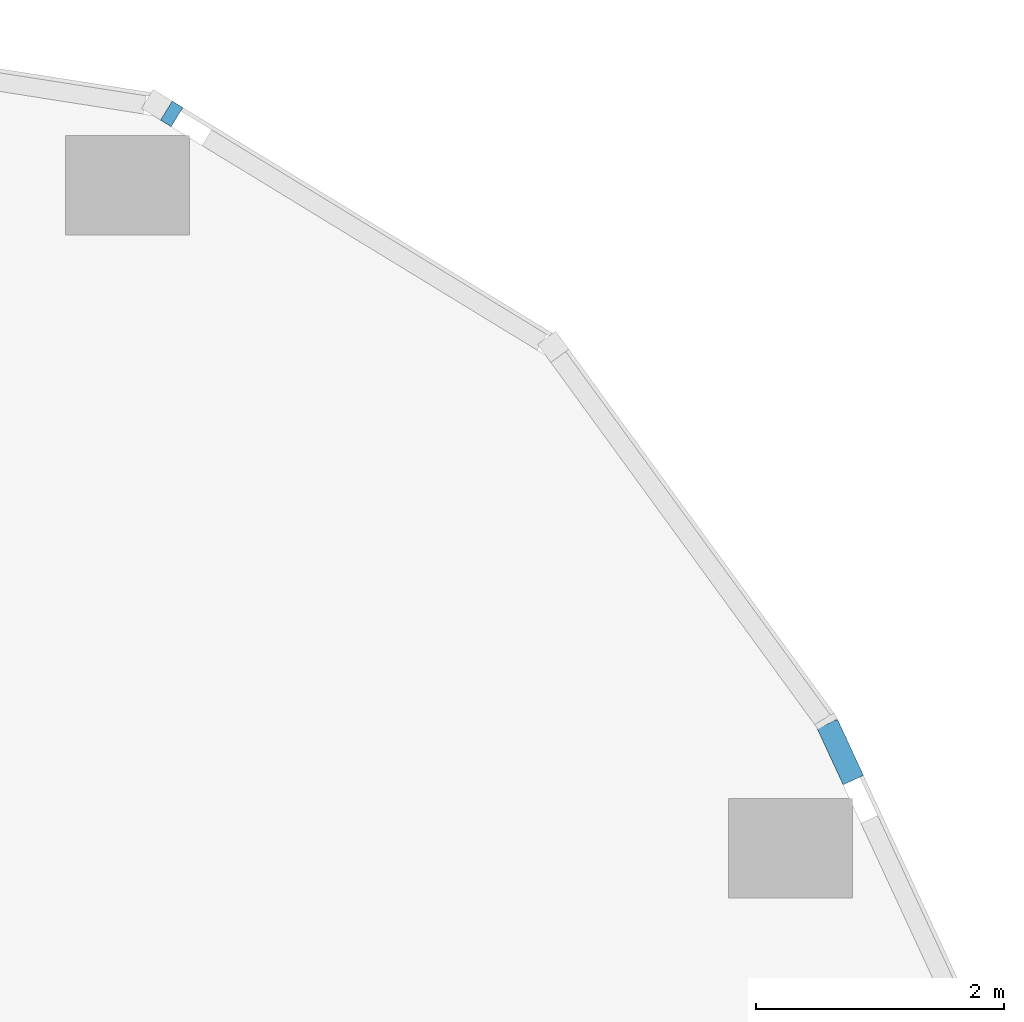
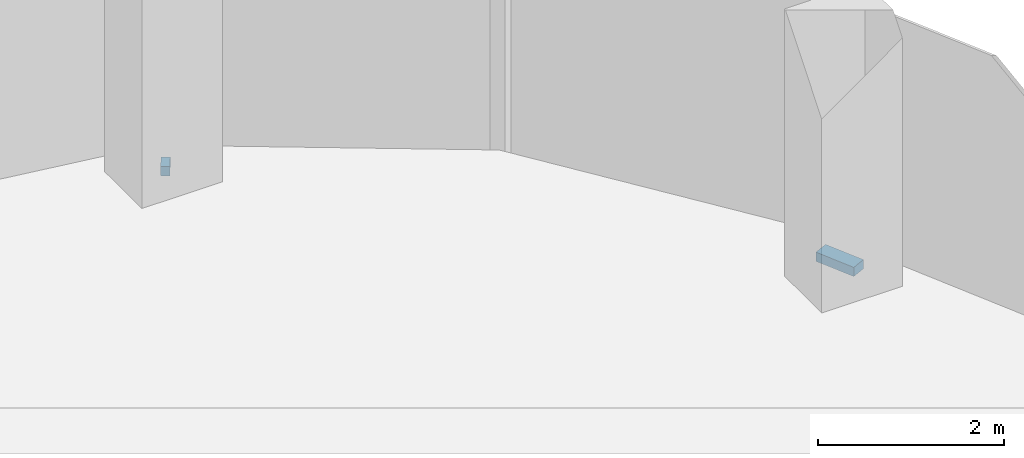
# One storey, part 15 of 23: 2 members, 2 elements without a shape of their own.
"""IFC4 building model written with IfcOpenShell, lengths in metres."""

from ifc_helpers import new_model, si_unit, direction, frame, origin, origin_2d, place, context, subcontext, project, spatial, rectangle, extrude, material, material_profile, profile_set, type_object, element, aggregate, save


model = new_model("IFC4")

# Units and contexts
model_context = context("Model", 3, precision=1e-05, world=origin(), true_north=direction((0.0, 1.0)))
body_context = subcontext(model_context, "Body", "Model", "MODEL_VIEW")
ifc_project = project(units=[si_unit("LENGTHUNIT", "METRE"), si_unit("AREAUNIT", "SQUARE_METRE"), si_unit("VOLUMEUNIT", "CUBIC_METRE"), si_unit("PLANEANGLEUNIT", "RADIAN"), si_unit("MASSUNIT", "GRAM", prefix="KILO")], contexts=[model_context])

# Site, building, storey
site_placement = place(None, origin())
site = spatial("IfcSite", under=ifc_project, at=site_placement, CompositionType="ELEMENT")
building_placement = place(site_placement, origin())
building = spatial("IfcBuilding", under=site, at=building_placement, Name="Orlundy Tower", CompositionType="ELEMENT")
storey_placement = place(building_placement, frame((0.0, 0.0, 257.0)))
storey = spatial("IfcBuildingStorey", under=building, at=storey_placement, Name="L68", CompositionType="ELEMENT", Elevation=257.0)

# Curtain wall, member
ifc_material_1 = material(Name="Aluminium bronze anodised", Category="aluminium")
curtain_wall_type = type_object("IfcCurtainWallType", Name="CW1 wall", PredefinedType="NOTDEFINED", material=ifc_material_1)
curtain_wall_1_placement = place(storey_placement, origin())
curtain_wall_1 = element("IfcCurtainWall", 1, at=curtain_wall_1_placement, inside=storey, type_object=curtain_wall_type, Name="CW1 run 13", PredefinedType="NOTDEFINED")
ifc_material_2 = material(Name="Aluminium bronze anodised", Category="aluminium")
ifc_material_profile = material_profile(ifc_material_2, rectangle(XDim=0.179931640625, YDim=0.1201171875, at=origin_2d()), Name="CW1 transom 180x120")
ifc_profile_set = profile_set([ifc_material_profile], Name="Aluminium bronze anodised")
member_type = type_object("IfcMemberType", Name="CW1 transom 180x120", PredefinedType="USERDEFINED", material=ifc_profile_set)
member_1_placement = place(storey_placement, frame((26.199462890625, 31.085205078125, -0.340087890625), z_axis=(0.853161300119, -0.52164719493, 0.0), x_axis=(0.52164719493, 0.853161300119, 0.0)))
member_1 = element("IfcMember", 2, at=member_1_placement, type_object=member_type, Name="CW1 transom", ObjectType="TRANSOM", PredefinedType="USERDEFINED", context=body_context, shape_type="SweptSolid", body=[
    extrude(rectangle(XDim=0.179931640625, YDim=0.1201171875, at=origin_2d()), origin(), (0.0, 0.0, 1.0), 0.10009765625),
])
aggregate(curtain_wall_1, [member_1])

curtain_wall_2_placement = place(storey_placement, origin())
curtain_wall_2 = element("IfcCurtainWall", 3, at=curtain_wall_2_placement, inside=storey, type_object=curtain_wall_type, Name="CW1 run 15", PredefinedType="NOTDEFINED")
member_2_placement = place(storey_placement, frame((31.526611328125, 26.14111328125, -0.340087890625), z_axis=(0.419494228682, -0.90775800305, 0.0), x_axis=(0.90775800305, 0.419494228682, 0.0)))
member_2 = element("IfcMember", 4, at=member_2_placement, type_object=member_type, Name="CW1 transom", ObjectType="TRANSOM", PredefinedType="USERDEFINED", context=body_context, shape_type="SweptSolid", body=[
    extrude(rectangle(XDim=0.179931640625, YDim=0.1201171875, at=origin_2d()), origin(), (0.0, 0.0, 1.0), 0.4970703125),
])
aggregate(curtain_wall_2, [member_2])

save(model, "model.ifc")
